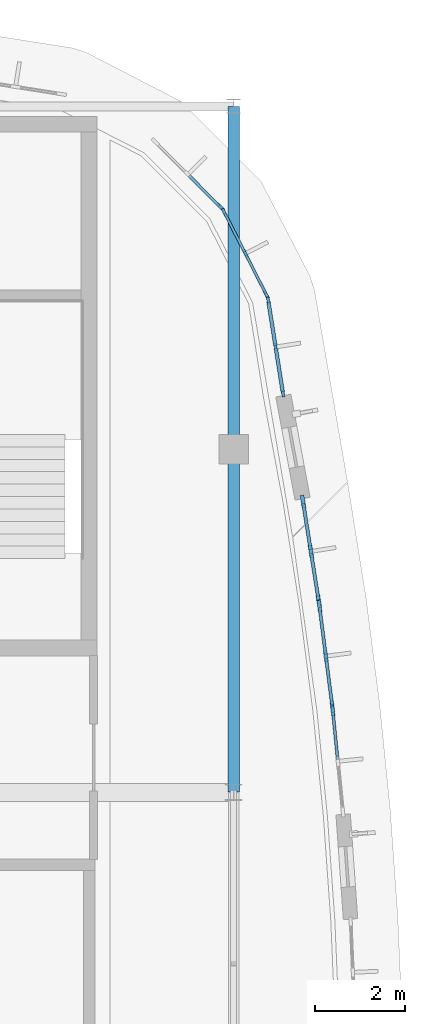
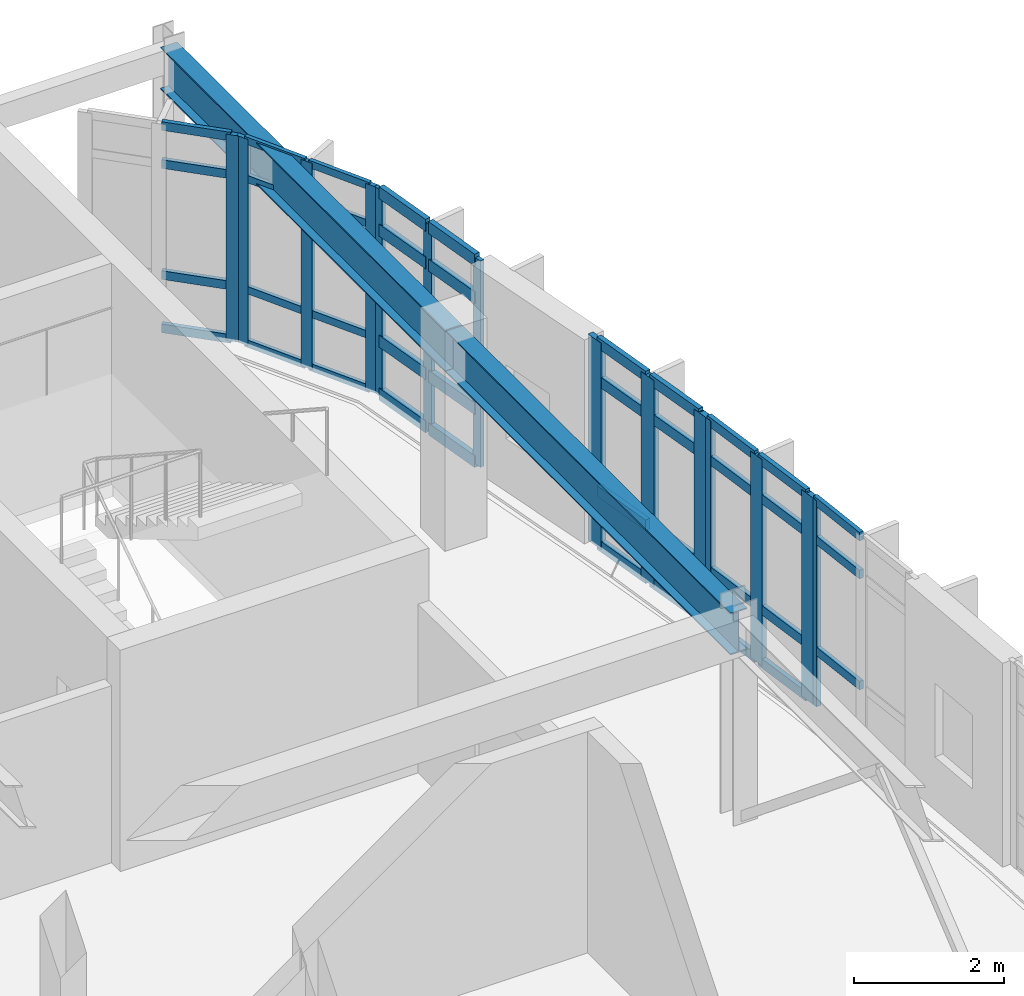
# One storey, part 13 of 30: 53 members, 2 beams, 6 elements without a shape of their own.
"""IFC4 building model written with IfcOpenShell, lengths in metres."""

from ifc_helpers import new_model, si_unit, direction, frame, origin, origin_2d, place, context, subcontext, project, spatial, rectangle, i_section, extrude, material, material_profile, profile_set, type_object, element, aggregate, save


model = new_model("IFC4")

# Units and contexts
model_context = context("Model", 3, precision=1e-05, world=origin(), true_north=direction((0.0, 1.0)))
body_context = subcontext(model_context, "Body", "Model", "MODEL_VIEW")
ifc_project = project(units=[si_unit("LENGTHUNIT", "METRE"), si_unit("AREAUNIT", "SQUARE_METRE"), si_unit("VOLUMEUNIT", "CUBIC_METRE"), si_unit("PLANEANGLEUNIT", "RADIAN"), si_unit("MASSUNIT", "GRAM", prefix="KILO")], contexts=[model_context])

# Site, building, storey
site_placement = place(None, origin())
site = spatial("IfcSite", under=ifc_project, at=site_placement, CompositionType="ELEMENT")
building_placement = place(site_placement, origin())
building = spatial("IfcBuilding", under=site, at=building_placement, Name="Corveleigh Park Community Centre", CompositionType="ELEMENT")
storey_placement = place(building_placement, frame((0.0, 0.0, 12.60009765625)))
storey = spatial("IfcBuildingStorey", under=building, at=storey_placement, Name="L03", CompositionType="ELEMENT", Elevation=12.60009765625)

# Beams
ifc_material_1 = material(Name="Steel S355", Category="steel")
ifc_material_profile_1 = material_profile(ifc_material_1, i_section(OverallWidth=0.253662109375, OverallDepth=0.68359375, WebThickness=0.012451171875, FlangeThickness=0.01904296875, at=origin_2d()), Name="UKB 686x254x140", Category="steel")
ifc_profile_set_1 = profile_set([ifc_material_profile_1], Name="Steel S355")
beam_type_1 = type_object("IfcBeamType", Name="BM-STL-UKB686x140", PredefinedType="BEAM", material=ifc_profile_set_1)
beam_1_placement = place(storey_placement, frame((168.39990234375, 89.0048828125, 3.01513671875), z_axis=(0.0, 1.0, 0.0), x_axis=(-1.0, 0.0, 0.0)))
element("IfcBeam", 1, at=beam_1_placement, inside=storey, type_object=beam_type_1, Name="V4 Girder Y", PredefinedType="BEAM", context=body_context, shape_type="SweptSolid", body=[
    extrude(i_section(OverallWidth=0.253662109375, OverallDepth=0.68359375, WebThickness=0.012451171875, FlangeThickness=0.01904296875, at=origin_2d()), origin(), (0.0, 0.0, 1.0), 7.590087890625),
])
ifc_material_profile_2 = material_profile(ifc_material_1, i_section(OverallWidth=0.25439453125, OverallDepth=0.6875, WebThickness=0.01318359375, FlangeThickness=0.02099609375, at=origin_2d()), Name="UKB 686x254x152", Category="steel")
ifc_profile_set_2 = profile_set([ifc_material_profile_2], Name="Steel S355")
beam_type_2 = type_object("IfcBeamType", Name="BM-STL-UKB686x152", PredefinedType="BEAM", material=ifc_profile_set_2)
beam_2_placement = place(storey_placement, frame((168.39990234375, 96.60498046875, 3.01318359375), z_axis=(0.0, 1.0, 0.0), x_axis=(-1.0, 0.0, 0.0)))
element("IfcBeam", 2, at=beam_2_placement, inside=storey, type_object=beam_type_2, Name="V4 Girder Y", PredefinedType="BEAM", context=body_context, shape_type="SweptSolid", body=[
    extrude(i_section(OverallWidth=0.25439453125, OverallDepth=0.6875, WebThickness=0.01318359375, FlangeThickness=0.02099609375, at=origin_2d()), origin(), (0.0, 0.0, 1.0), 7.590087890625),
])

# Curtain wall, members
ifc_material_2 = material(Name="Anodised aluminium 6063-T6", Category="aluminium")
curtain_wall_type = type_object("IfcCurtainWallType", Name="CW-SYS-V4-L03", PredefinedType="NOTDEFINED", material=ifc_material_2)
curtain_wall_1_placement = place(storey_placement, origin())
curtain_wall_1 = element("IfcCurtainWall", 3, at=curtain_wall_1_placement, inside=storey, type_object=curtain_wall_type, Name="V4 L03 Curtain Wall 415", PredefinedType="NOTDEFINED")
ifc_material_profile_3 = material_profile(ifc_material_2, rectangle(XDim=0.06005859375, YDim=0.159912109375, at=origin_2d()), Name="ALU-M60x160", Category="aluminium")
ifc_profile_set_3 = profile_set([ifc_material_profile_3], Name="Anodised aluminium 6063-T6")
member_type_1 = type_object("IfcMemberType", Name="CWM-60x160", PredefinedType="MULLION", material=ifc_profile_set_3)
member_1_placement = place(storey_placement, frame((169.167724609375, 99.895263671875, 0.0), z_axis=(0.0, 0.0, 1.0), x_axis=(0.987626350225, 0.15682535618, 0.0)))
member_1 = element("IfcMember", 4, at=member_1_placement, type_object=member_type_1, Name="CW09 mullion 1", PredefinedType="MULLION", context=body_context, shape_type="SweptSolid", body=[
    extrude(rectangle(XDim=0.06005859375, YDim=0.159912109375, at=origin_2d()), origin(), (0.0, 0.0, 1.0), 3.35693359375),
])
member_2_placement = place(storey_placement, frame((169.3310546875, 98.866943359375, 0.0), z_axis=(0.0, 0.0, 1.0), x_axis=(0.987626350225, 0.15682535618, 0.0)))
member_2 = element("IfcMember", 5, at=member_2_placement, type_object=member_type_1, Name="CW09 mullion 2", PredefinedType="MULLION", context=body_context, shape_type="SweptSolid", body=[
    extrude(rectangle(XDim=0.06005859375, YDim=0.159912109375, at=origin_2d()), origin(), (0.0, 0.0, 1.0), 3.35693359375),
])
member_3_placement = place(storey_placement, frame((169.494384765625, 97.838623046875, 0.0), z_axis=(0.0, 0.0, 1.0), x_axis=(0.987626350225, 0.15682535618, 0.0)))
member_3 = element("IfcMember", 6, at=member_3_placement, type_object=member_type_1, Name="CW09 mullion 3", PredefinedType="MULLION", context=body_context, shape_type="SweptSolid", body=[
    extrude(rectangle(XDim=0.06005859375, YDim=0.159912109375, at=origin_2d()), origin(), (0.0, 0.0, 1.0), 3.35693359375),
])

curtain_wall_2_placement = place(storey_placement, origin())
curtain_wall_2 = element("IfcCurtainWall", 7, at=curtain_wall_2_placement, inside=storey, type_object=curtain_wall_type, Name="V4 L03 Curtain Wall 416", PredefinedType="NOTDEFINED")
ifc_material_profile_4 = material_profile(ifc_material_2, rectangle(XDim=0.06494140625, YDim=0.179931640625, at=origin_2d()), Name="ALU-M65x180", Category="aluminium")
ifc_profile_set_4 = profile_set([ifc_material_profile_4], Name="Anodised aluminium 6063-T6")
member_type_2 = type_object("IfcMemberType", Name="CWM-65x180", PredefinedType="MULLION", material=ifc_profile_set_4)
member_4_placement = place(storey_placement, frame((168.19482421875, 101.85107421875, 0.0), z_axis=(0.0, 0.0, 1.0), x_axis=(0.890898639119, 0.454202173945, 0.0)))
member_4 = element("IfcMember", 8, at=member_4_placement, type_object=member_type_2, Name="CW09 mullion 1", PredefinedType="MULLION", context=body_context, shape_type="SweptSolid", body=[
    extrude(rectangle(XDim=0.06494140625, YDim=0.179931640625, at=origin_2d()), origin(), (0.0, 0.0, 1.0), 3.35693359375),
])
member_5_placement = place(storey_placement, frame((168.659912109375, 100.9384765625, 0.0), z_axis=(0.0, 0.0, 1.0), x_axis=(0.890898639119, 0.454202173945, 0.0)))
member_5 = element("IfcMember", 9, at=member_5_placement, type_object=member_type_2, Name="CW09 mullion 2", PredefinedType="MULLION", context=body_context, shape_type="SweptSolid", body=[
    extrude(rectangle(XDim=0.06494140625, YDim=0.179931640625, at=origin_2d()), origin(), (0.0, 0.0, 1.0), 3.35693359375),
])
member_6_placement = place(storey_placement, frame((169.125244140625, 100.02587890625, 0.0), z_axis=(0.0, 0.0, 1.0), x_axis=(0.890898639119, 0.454202173945, 0.0)))
member_6 = element("IfcMember", 10, at=member_6_placement, type_object=member_type_2, Name="CW09 mullion 3", PredefinedType="MULLION", context=body_context, shape_type="SweptSolid", body=[
    extrude(rectangle(XDim=0.06494140625, YDim=0.179931640625, at=origin_2d()), origin(), (0.0, 0.0, 1.0), 3.35693359375),
])

# Curtain wall, member
curtain_wall_3_placement = place(storey_placement, origin())
curtain_wall_3 = element("IfcCurtainWall", 11, at=curtain_wall_3_placement, inside=storey, type_object=curtain_wall_type, Name="V4 L03 Curtain Wall 417", PredefinedType="NOTDEFINED")
ifc_material_profile_5 = material_profile(ifc_material_2, rectangle(XDim=0.070068359375, YDim=0.199951171875, at=origin_2d()), Name="ALU-M70x200", Category="aluminium")
ifc_profile_set_5 = profile_set([ifc_material_profile_5], Name="Anodised aluminium 6063-T6")
member_type_3 = type_object("IfcMemberType", Name="CWM-70x200", PredefinedType="MULLION", material=ifc_profile_set_5)
member_7_placement = place(storey_placement, frame((168.111328125, 101.9658203125, 0.0), z_axis=(0.0, 0.0, 1.0), x_axis=(0.707106781187, 0.707106781187, 0.0)))
member_7 = element("IfcMember", 12, at=member_7_placement, type_object=member_type_3, Name="CW09 mullion 3", PredefinedType="MULLION", context=body_context, shape_type="SweptSolid", body=[
    extrude(rectangle(XDim=0.070068359375, YDim=0.199951171875, at=origin_2d()), origin(), (0.0, 0.0, 1.0), 3.35693359375),
])

curtain_wall_4_placement = place(storey_placement, origin())
curtain_wall_4 = element("IfcCurtainWall", 13, at=curtain_wall_4_placement, inside=storey, type_object=curtain_wall_type, Name="V4 L03 Curtain Wall 412", PredefinedType="NOTDEFINED")
ifc_material_profile_6 = material_profile(ifc_material_2, rectangle(XDim=0.074951171875, YDim=0.219970703125, at=origin_2d()), Name="ALU-M75x220", Category="aluminium")
ifc_profile_set_6 = profile_set([ifc_material_profile_6], Name="Anodised aluminium 6063-T6")
member_type_4 = type_object("IfcMemberType", Name="CWM-75x220", PredefinedType="MULLION", material=ifc_profile_set_6)
member_8_placement = place(storey_placement, frame((170.59765625, 90.8095703125, 0.0), z_axis=(0.0, 0.0, 1.0), x_axis=(0.995058446213, 0.09929092919, 0.0)))
member_8 = element("IfcMember", 14, at=member_8_placement, type_object=member_type_4, Name="CW09 mullion 1", PredefinedType="MULLION", context=body_context, shape_type="SweptSolid", body=[
    extrude(rectangle(XDim=0.074951171875, YDim=0.219970703125, at=origin_2d()), origin(), (0.0, 0.0, 1.0), 3.35693359375),
])

# Curtain wall, members
curtain_wall_5_placement = place(storey_placement, origin())
curtain_wall_5 = element("IfcCurtainWall", 15, at=curtain_wall_5_placement, inside=storey, type_object=curtain_wall_type, Name="V4 L03 Curtain Wall 413", PredefinedType="NOTDEFINED")
ifc_material_profile_7 = material_profile(ifc_material_2, rectangle(XDim=0.080078125, YDim=0.25, at=origin_2d()), Name="ALU-M80x250", Category="aluminium")
ifc_profile_set_7 = profile_set([ifc_material_profile_7], Name="Anodised aluminium 6063-T6")
member_type_5 = type_object("IfcMemberType", Name="CWM-80x250", PredefinedType="MULLION", material=ifc_profile_set_7)
member_9_placement = place(storey_placement, frame((170.301025390625, 93.13232421875, 0.0), z_axis=(0.0, 0.0, 1.0), x_axis=(0.991869145489, 0.127261927639, 0.0)))
member_9 = element("IfcMember", 16, at=member_9_placement, type_object=member_type_5, Name="CW09 mullion 1", PredefinedType="MULLION", context=body_context, shape_type="SweptSolid", body=[
    extrude(rectangle(XDim=0.080078125, YDim=0.25, at=origin_2d()), origin(), (0.0, 0.0, 1.0), 3.35693359375),
])
member_10_placement = place(storey_placement, frame((170.444091796875, 92.0185546875, 0.0), z_axis=(0.0, 0.0, 1.0), x_axis=(0.991869145489, 0.127261927639, 0.0)))
member_10 = element("IfcMember", 17, at=member_10_placement, type_object=member_type_5, Name="CW09 mullion 2", PredefinedType="MULLION", context=body_context, shape_type="SweptSolid", body=[
    extrude(rectangle(XDim=0.080078125, YDim=0.25, at=origin_2d()), origin(), (0.0, 0.0, 1.0), 3.35693359375),
])
member_11_placement = place(storey_placement, frame((170.5869140625, 90.90478515625, 0.0), z_axis=(0.0, 0.0, 1.0), x_axis=(0.991869145489, 0.127261927639, 0.0)))
member_11 = element("IfcMember", 18, at=member_11_placement, type_object=member_type_5, Name="CW09 mullion 3", PredefinedType="MULLION", context=body_context, shape_type="SweptSolid", body=[
    extrude(rectangle(XDim=0.080078125, YDim=0.25, at=origin_2d()), origin(), (0.0, 0.0, 1.0), 3.35693359375),
])

curtain_wall_6_placement = place(storey_placement, origin())
curtain_wall_6 = element("IfcCurtainWall", 19, at=curtain_wall_6_placement, inside=storey, type_object=curtain_wall_type, Name="V4 L03 Curtain Wall 414", PredefinedType="NOTDEFINED")
ifc_material_profile_8 = material_profile(ifc_material_2, rectangle(XDim=0.0849609375, YDim=0.27490234375, at=origin_2d()), Name="ALU-M85x275", Category="aluminium")
ifc_profile_set_8 = profile_set([ifc_material_profile_8], Name="Anodised aluminium 6063-T6")
member_type_6 = type_object("IfcMemberType", Name="CWM-85x275", PredefinedType="MULLION", material=ifc_profile_set_8)
member_12_placement = place(storey_placement, frame((169.937744140625, 95.445068359375, 0.0), z_axis=(0.0, 0.0, 1.0), x_axis=(0.987742036845, 0.156095062857, 0.0)))
member_12 = element("IfcMember", 20, at=member_12_placement, type_object=member_type_6, Name="CW09 mullion 1", PredefinedType="MULLION", context=body_context, shape_type="SweptSolid", body=[
    extrude(rectangle(XDim=0.0849609375, YDim=0.27490234375, at=origin_2d()), origin(), (0.0, 0.0, 1.0), 3.35693359375),
])
member_13_placement = place(storey_placement, frame((170.112548828125, 94.33837890625, 0.0), z_axis=(0.0, 0.0, 1.0), x_axis=(0.987742036845, 0.156095062857, 0.0)))
member_13 = element("IfcMember", 21, at=member_13_placement, type_object=member_type_6, Name="CW09 mullion 2", PredefinedType="MULLION", context=body_context, shape_type="SweptSolid", body=[
    extrude(rectangle(XDim=0.0849609375, YDim=0.27490234375, at=origin_2d()), origin(), (0.0, 0.0, 1.0), 3.35693359375),
])
member_14_placement = place(storey_placement, frame((170.287353515625, 93.23193359375, 0.0), z_axis=(0.0, 0.0, 1.0), x_axis=(0.987742036845, 0.156095062857, 0.0)))
member_14 = element("IfcMember", 22, at=member_14_placement, type_object=member_type_6, Name="CW09 mullion 3", PredefinedType="MULLION", context=body_context, shape_type="SweptSolid", body=[
    extrude(rectangle(XDim=0.0849609375, YDim=0.27490234375, at=origin_2d()), origin(), (0.0, 0.0, 1.0), 3.35693359375),
])

# Member
ifc_material_profile_9 = material_profile(ifc_material_2, rectangle(XDim=0.06005859375, YDim=0.1201171875, at=origin_2d()), Name="ALU-T60x120", Category="aluminium")
ifc_profile_set_9 = profile_set([ifc_material_profile_9], Name="Anodised aluminium 6063-T6")
member_type_7 = type_object("IfcMemberType", Name="CWT-60x120", PredefinedType="USERDEFINED", material=ifc_profile_set_9)
member_15_placement = place(storey_placement, frame((168.20947265625, 101.822021484375, 0.02978515625), z_axis=(0.454326082796, -0.890835456463, 0.0), x_axis=(0.890835456463, 0.454326082796, 0.0)))
member_15 = element("IfcMember", 23, at=member_15_placement, type_object=member_type_7, Name="CW09 transom 1.1", ObjectType="TRANSOM", PredefinedType="USERDEFINED", context=body_context, shape_type="SweptSolid", body=[
    extrude(rectangle(XDim=0.06005859375, YDim=0.1201171875, at=origin_2d()), origin(), (0.0, 0.0, 1.0), 0.959228515625),
])

member_16_placement = place(storey_placement, frame((168.20947265625, 101.822021484375, 0.89990234375), z_axis=(0.454326082796, -0.890835456463, 0.0), x_axis=(0.890835456463, 0.454326082796, 0.0)))
member_16 = element("IfcMember", 24, at=member_16_placement, type_object=member_type_7, Name="CW09 transom 1.2", ObjectType="TRANSOM", PredefinedType="USERDEFINED", context=body_context, shape_type="SweptSolid", body=[
    extrude(rectangle(XDim=0.06005859375, YDim=0.1201171875, at=origin_2d()), origin(), (0.0, 0.0, 1.0), 0.959228515625),
])

member_17_placement = place(storey_placement, frame((168.20947265625, 101.822021484375, 2.706787109375), z_axis=(0.454326082796, -0.890835456463, 0.0), x_axis=(0.890835456463, 0.454326082796, 0.0)))
member_17 = element("IfcMember", 25, at=member_17_placement, type_object=member_type_7, Name="CW09 transom 1.3", ObjectType="TRANSOM", PredefinedType="USERDEFINED", context=body_context, shape_type="SweptSolid", body=[
    extrude(rectangle(XDim=0.06005859375, YDim=0.1201171875, at=origin_2d()), origin(), (0.0, 0.0, 1.0), 0.959228515625),
])

member_18_placement = place(storey_placement, frame((168.20947265625, 101.822021484375, 3.326904296875), z_axis=(0.454326082796, -0.890835456463, 0.0), x_axis=(0.890835456463, 0.454326082796, 0.0)))
member_18 = element("IfcMember", 26, at=member_18_placement, type_object=member_type_7, Name="CW09 transom 1.4", ObjectType="TRANSOM", PredefinedType="USERDEFINED", context=body_context, shape_type="SweptSolid", body=[
    extrude(rectangle(XDim=0.06005859375, YDim=0.1201171875, at=origin_2d()), origin(), (0.0, 0.0, 1.0), 0.959228515625),
])

member_19_placement = place(storey_placement, frame((168.6748046875, 100.909423828125, 0.02978515625), z_axis=(0.454326082796, -0.890835456463, 0.0), x_axis=(0.890835456463, 0.454326082796, 0.0)))
member_19 = element("IfcMember", 27, at=member_19_placement, type_object=member_type_7, Name="CW09 transom 2.1", ObjectType="TRANSOM", PredefinedType="USERDEFINED", context=body_context, shape_type="SweptSolid", body=[
    extrude(rectangle(XDim=0.06005859375, YDim=0.1201171875, at=origin_2d()), origin(), (0.0, 0.0, 1.0), 0.959228515625),
])

member_20_placement = place(storey_placement, frame((168.6748046875, 100.909423828125, 0.89990234375), z_axis=(0.454326082796, -0.890835456463, 0.0), x_axis=(0.890835456463, 0.454326082796, 0.0)))
member_20 = element("IfcMember", 28, at=member_20_placement, type_object=member_type_7, Name="CW09 transom 2.2", ObjectType="TRANSOM", PredefinedType="USERDEFINED", context=body_context, shape_type="SweptSolid", body=[
    extrude(rectangle(XDim=0.06005859375, YDim=0.1201171875, at=origin_2d()), origin(), (0.0, 0.0, 1.0), 0.959228515625),
])

member_21_placement = place(storey_placement, frame((168.6748046875, 100.909423828125, 2.706787109375), z_axis=(0.454326082796, -0.890835456463, 0.0), x_axis=(0.890835456463, 0.454326082796, 0.0)))
member_21 = element("IfcMember", 29, at=member_21_placement, type_object=member_type_7, Name="CW09 transom 2.3", ObjectType="TRANSOM", PredefinedType="USERDEFINED", context=body_context, shape_type="SweptSolid", body=[
    extrude(rectangle(XDim=0.06005859375, YDim=0.1201171875, at=origin_2d()), origin(), (0.0, 0.0, 1.0), 0.959228515625),
])

member_22_placement = place(storey_placement, frame((168.6748046875, 100.909423828125, 3.326904296875), z_axis=(0.454326082796, -0.890835456463, 0.0), x_axis=(0.890835456463, 0.454326082796, 0.0)))
member_22 = element("IfcMember", 30, at=member_22_placement, type_object=member_type_7, Name="CW09 transom 2.4", ObjectType="TRANSOM", PredefinedType="USERDEFINED", context=body_context, shape_type="SweptSolid", body=[
    extrude(rectangle(XDim=0.06005859375, YDim=0.1201171875, at=origin_2d()), origin(), (0.0, 0.0, 1.0), 0.959228515625),
])

aggregate(curtain_wall_2, [member_4, member_5, member_6, member_15, member_16, member_17, member_18, member_19, member_20, member_21, member_22])

ifc_material_profile_10 = material_profile(ifc_material_2, rectangle(XDim=0.06494140625, YDim=0.139892578125, at=origin_2d()), Name="ALU-T65x140", Category="aluminium")
ifc_profile_set_10 = profile_set([ifc_material_profile_10], Name="Anodised aluminium 6063-T6")
member_type_8 = type_object("IfcMemberType", Name="CWT-65x140", PredefinedType="USERDEFINED", material=ifc_profile_set_10)
member_23_placement = place(storey_placement, frame((170.6015625, 90.7724609375, 0.89990234375), z_axis=(0.099204676617, -0.995067049066, 0.0), x_axis=(0.995067049066, 0.099204676617, 0.0)))
member_23 = element("IfcMember", 31, at=member_23_placement, type_object=member_type_8, Name="CW09 transom 1.2", ObjectType="TRANSOM", PredefinedType="USERDEFINED", context=body_context, shape_type="SweptSolid", body=[
    extrude(rectangle(XDim=0.06494140625, YDim=0.139892578125, at=origin_2d()), origin(), (0.0, 0.0, 1.0), 1.05078125),
])

member_24_placement = place(storey_placement, frame((170.6015625, 90.7724609375, 2.706787109375), z_axis=(0.099204676617, -0.995067049066, 0.0), x_axis=(0.995067049066, 0.099204676617, 0.0)))
member_24 = element("IfcMember", 32, at=member_24_placement, type_object=member_type_8, Name="CW09 transom 1.3", ObjectType="TRANSOM", PredefinedType="USERDEFINED", context=body_context, shape_type="SweptSolid", body=[
    extrude(rectangle(XDim=0.06494140625, YDim=0.139892578125, at=origin_2d()), origin(), (0.0, 0.0, 1.0), 1.05078125),
])

member_25_placement = place(storey_placement, frame((170.6015625, 90.7724609375, 3.324462890625), z_axis=(0.099204676617, -0.995067049066, 0.0), x_axis=(0.995067049066, 0.099204676617, 0.0)))
member_25 = element("IfcMember", 33, at=member_25_placement, type_object=member_type_8, Name="CW09 transom 1.4", ObjectType="TRANSOM", PredefinedType="USERDEFINED", context=body_context, shape_type="SweptSolid", body=[
    extrude(rectangle(XDim=0.06494140625, YDim=0.139892578125, at=origin_2d()), origin(), (0.0, 0.0, 1.0), 1.05078125),
])

aggregate(curtain_wall_4, [member_8, member_23, member_24, member_25])

member_26_placement = place(storey_placement, frame((167.413330078125, 102.663818359375, 0.032470703125), z_axis=(0.706978554373, -0.707234984752, 0.0), x_axis=(0.707234984752, 0.706978554373, 0.0)))
member_26 = element("IfcMember", 34, at=member_26_placement, type_object=member_type_8, Name="CW09 transom 2.1", ObjectType="TRANSOM", PredefinedType="USERDEFINED", context=body_context, shape_type="SweptSolid", body=[
    extrude(rectangle(XDim=0.06494140625, YDim=0.139892578125, at=origin_2d()), origin(), (0.0, 0.0, 1.0), 0.9521484375),
])

member_27_placement = place(storey_placement, frame((167.413330078125, 102.663818359375, 0.89990234375), z_axis=(0.706978554373, -0.707234984752, 0.0), x_axis=(0.707234984752, 0.706978554373, 0.0)))
member_27 = element("IfcMember", 35, at=member_27_placement, type_object=member_type_8, Name="CW09 transom 2.2", ObjectType="TRANSOM", PredefinedType="USERDEFINED", context=body_context, shape_type="SweptSolid", body=[
    extrude(rectangle(XDim=0.06494140625, YDim=0.139892578125, at=origin_2d()), origin(), (0.0, 0.0, 1.0), 0.9521484375),
])

member_28_placement = place(storey_placement, frame((167.413330078125, 102.663818359375, 2.706787109375), z_axis=(0.706978554373, -0.707234984752, 0.0), x_axis=(0.707234984752, 0.706978554373, 0.0)))
member_28 = element("IfcMember", 36, at=member_28_placement, type_object=member_type_8, Name="CW09 transom 2.3", ObjectType="TRANSOM", PredefinedType="USERDEFINED", context=body_context, shape_type="SweptSolid", body=[
    extrude(rectangle(XDim=0.06494140625, YDim=0.139892578125, at=origin_2d()), origin(), (0.0, 0.0, 1.0), 0.9521484375),
])

member_29_placement = place(storey_placement, frame((167.413330078125, 102.663818359375, 3.324462890625), z_axis=(0.706978554373, -0.707234984752, 0.0), x_axis=(0.707234984752, 0.706978554373, 0.0)))
member_29 = element("IfcMember", 37, at=member_29_placement, type_object=member_type_8, Name="CW09 transom 2.4", ObjectType="TRANSOM", PredefinedType="USERDEFINED", context=body_context, shape_type="SweptSolid", body=[
    extrude(rectangle(XDim=0.06494140625, YDim=0.139892578125, at=origin_2d()), origin(), (0.0, 0.0, 1.0), 0.9521484375),
])

aggregate(curtain_wall_3, [member_7, member_26, member_27, member_28, member_29])

ifc_material_profile_11 = material_profile(ifc_material_2, rectangle(XDim=0.070068359375, YDim=0.155029296875, at=origin_2d()), Name="ALU-T70x155", Category="aluminium")
ifc_profile_set_11 = profile_set([ifc_material_profile_11], Name="Anodised aluminium 6063-T6")
member_type_9 = type_object("IfcMemberType", Name="CWT-70x155", PredefinedType="USERDEFINED", material=ifc_profile_set_11)
member_30_placement = place(storey_placement, frame((170.30615234375, 93.092529296875, 0.034912109375), z_axis=(0.127347379918, -0.991858177779, 0.0), x_axis=(0.991858177779, 0.127347379918, 0.0)))
member_30 = element("IfcMember", 38, at=member_30_placement, type_object=member_type_9, Name="CW09 transom 1.1", ObjectType="TRANSOM", PredefinedType="USERDEFINED", context=body_context, shape_type="SweptSolid", body=[
    extrude(rectangle(XDim=0.070068359375, YDim=0.155029296875, at=origin_2d()), origin(), (0.0, 0.0, 1.0), 1.04296875),
])

member_31_placement = place(storey_placement, frame((170.30615234375, 93.092529296875, 0.89990234375), z_axis=(0.127347379918, -0.991858177779, 0.0), x_axis=(0.991858177779, 0.127347379918, 0.0)))
member_31 = element("IfcMember", 39, at=member_31_placement, type_object=member_type_9, Name="CW09 transom 1.2", ObjectType="TRANSOM", PredefinedType="USERDEFINED", context=body_context, shape_type="SweptSolid", body=[
    extrude(rectangle(XDim=0.070068359375, YDim=0.155029296875, at=origin_2d()), origin(), (0.0, 0.0, 1.0), 1.04296875),
])

member_32_placement = place(storey_placement, frame((170.30615234375, 93.092529296875, 2.706787109375), z_axis=(0.127347379918, -0.991858177779, 0.0), x_axis=(0.991858177779, 0.127347379918, 0.0)))
member_32 = element("IfcMember", 40, at=member_32_placement, type_object=member_type_9, Name="CW09 transom 1.3", ObjectType="TRANSOM", PredefinedType="USERDEFINED", context=body_context, shape_type="SweptSolid", body=[
    extrude(rectangle(XDim=0.070068359375, YDim=0.155029296875, at=origin_2d()), origin(), (0.0, 0.0, 1.0), 1.04296875),
])

member_33_placement = place(storey_placement, frame((170.30615234375, 93.092529296875, 3.322021484375), z_axis=(0.127347379918, -0.991858177779, 0.0), x_axis=(0.991858177779, 0.127347379918, 0.0)))
member_33 = element("IfcMember", 41, at=member_33_placement, type_object=member_type_9, Name="CW09 transom 1.4", ObjectType="TRANSOM", PredefinedType="USERDEFINED", context=body_context, shape_type="SweptSolid", body=[
    extrude(rectangle(XDim=0.070068359375, YDim=0.155029296875, at=origin_2d()), origin(), (0.0, 0.0, 1.0), 1.04296875),
])

member_34_placement = place(storey_placement, frame((170.448974609375, 91.978759765625, 0.034912109375), z_axis=(0.127347379918, -0.991858177779, 0.0), x_axis=(0.991858177779, 0.127347379918, 0.0)))
member_34 = element("IfcMember", 42, at=member_34_placement, type_object=member_type_9, Name="CW09 transom 2.1", ObjectType="TRANSOM", PredefinedType="USERDEFINED", context=body_context, shape_type="SweptSolid", body=[
    extrude(rectangle(XDim=0.070068359375, YDim=0.155029296875, at=origin_2d()), origin(), (0.0, 0.0, 1.0), 1.04296875),
])

member_35_placement = place(storey_placement, frame((170.448974609375, 91.978759765625, 0.89990234375), z_axis=(0.127347379918, -0.991858177779, 0.0), x_axis=(0.991858177779, 0.127347379918, 0.0)))
member_35 = element("IfcMember", 43, at=member_35_placement, type_object=member_type_9, Name="CW09 transom 2.2", ObjectType="TRANSOM", PredefinedType="USERDEFINED", context=body_context, shape_type="SweptSolid", body=[
    extrude(rectangle(XDim=0.070068359375, YDim=0.155029296875, at=origin_2d()), origin(), (0.0, 0.0, 1.0), 1.04296875),
])

member_36_placement = place(storey_placement, frame((170.448974609375, 91.978759765625, 2.706787109375), z_axis=(0.127347379918, -0.991858177779, 0.0), x_axis=(0.991858177779, 0.127347379918, 0.0)))
member_36 = element("IfcMember", 44, at=member_36_placement, type_object=member_type_9, Name="CW09 transom 2.3", ObjectType="TRANSOM", PredefinedType="USERDEFINED", context=body_context, shape_type="SweptSolid", body=[
    extrude(rectangle(XDim=0.070068359375, YDim=0.155029296875, at=origin_2d()), origin(), (0.0, 0.0, 1.0), 1.04296875),
])

member_37_placement = place(storey_placement, frame((170.448974609375, 91.978759765625, 3.322021484375), z_axis=(0.127347379918, -0.991858177779, 0.0), x_axis=(0.991858177779, 0.127347379918, 0.0)))
member_37 = element("IfcMember", 45, at=member_37_placement, type_object=member_type_9, Name="CW09 transom 2.4", ObjectType="TRANSOM", PredefinedType="USERDEFINED", context=body_context, shape_type="SweptSolid", body=[
    extrude(rectangle(XDim=0.070068359375, YDim=0.155029296875, at=origin_2d()), origin(), (0.0, 0.0, 1.0), 1.04296875),
])

aggregate(curtain_wall_5, [member_9, member_10, member_11, member_30, member_31, member_32, member_33, member_34, member_35, member_36, member_37])

ifc_material_profile_12 = material_profile(ifc_material_2, rectangle(XDim=0.074951171875, YDim=0.175048828125, at=origin_2d()), Name="ALU-T75x175", Category="aluminium")
ifc_profile_set_12 = profile_set([ifc_material_profile_12], Name="Anodised aluminium 6063-T6")
member_type_10 = type_object("IfcMemberType", Name="CWT-75x175", PredefinedType="USERDEFINED", material=ifc_profile_set_12)
member_38_placement = place(storey_placement, frame((169.9443359375, 95.403076171875, 0.037353515625), z_axis=(0.156095763917, -0.987741926055, 0.0), x_axis=(0.987741926055, 0.156095763917, 0.0)))
member_38 = element("IfcMember", 46, at=member_38_placement, type_object=member_type_10, Name="CW09 transom 1.1", ObjectType="TRANSOM", PredefinedType="USERDEFINED", context=body_context, shape_type="SweptSolid", body=[
    extrude(rectangle(XDim=0.074951171875, YDim=0.175048828125, at=origin_2d()), origin(), (0.0, 0.0, 1.0), 1.035400390625),
])

member_39_placement = place(storey_placement, frame((169.9443359375, 95.403076171875, 0.89990234375), z_axis=(0.156095763917, -0.987741926055, 0.0), x_axis=(0.987741926055, 0.156095763917, 0.0)))
member_39 = element("IfcMember", 47, at=member_39_placement, type_object=member_type_10, Name="CW09 transom 1.2", ObjectType="TRANSOM", PredefinedType="USERDEFINED", context=body_context, shape_type="SweptSolid", body=[
    extrude(rectangle(XDim=0.074951171875, YDim=0.175048828125, at=origin_2d()), origin(), (0.0, 0.0, 1.0), 1.035400390625),
])

member_40_placement = place(storey_placement, frame((169.9443359375, 95.403076171875, 2.706787109375), z_axis=(0.156095763917, -0.987741926055, 0.0), x_axis=(0.987741926055, 0.156095763917, 0.0)))
member_40 = element("IfcMember", 48, at=member_40_placement, type_object=member_type_10, Name="CW09 transom 1.3", ObjectType="TRANSOM", PredefinedType="USERDEFINED", context=body_context, shape_type="SweptSolid", body=[
    extrude(rectangle(XDim=0.074951171875, YDim=0.175048828125, at=origin_2d()), origin(), (0.0, 0.0, 1.0), 1.035400390625),
])

member_41_placement = place(storey_placement, frame((169.9443359375, 95.403076171875, 3.3193359375), z_axis=(0.156095763917, -0.987741926055, 0.0), x_axis=(0.987741926055, 0.156095763917, 0.0)))
member_41 = element("IfcMember", 49, at=member_41_placement, type_object=member_type_10, Name="CW09 transom 1.4", ObjectType="TRANSOM", PredefinedType="USERDEFINED", context=body_context, shape_type="SweptSolid", body=[
    extrude(rectangle(XDim=0.074951171875, YDim=0.175048828125, at=origin_2d()), origin(), (0.0, 0.0, 1.0), 1.035400390625),
])

member_42_placement = place(storey_placement, frame((170.119140625, 94.296630859375, 0.037353515625), z_axis=(0.156095763917, -0.987741926055, 0.0), x_axis=(0.987741926055, 0.156095763917, 0.0)))
member_42 = element("IfcMember", 50, at=member_42_placement, type_object=member_type_10, Name="CW09 transom 2.1", ObjectType="TRANSOM", PredefinedType="USERDEFINED", context=body_context, shape_type="SweptSolid", body=[
    extrude(rectangle(XDim=0.074951171875, YDim=0.175048828125, at=origin_2d()), origin(), (0.0, 0.0, 1.0), 1.035400390625),
])

member_43_placement = place(storey_placement, frame((170.119140625, 94.296630859375, 0.89990234375), z_axis=(0.156095763917, -0.987741926055, 0.0), x_axis=(0.987741926055, 0.156095763917, 0.0)))
member_43 = element("IfcMember", 51, at=member_43_placement, type_object=member_type_10, Name="CW09 transom 2.2", ObjectType="TRANSOM", PredefinedType="USERDEFINED", context=body_context, shape_type="SweptSolid", body=[
    extrude(rectangle(XDim=0.074951171875, YDim=0.175048828125, at=origin_2d()), origin(), (0.0, 0.0, 1.0), 1.035400390625),
])

member_44_placement = place(storey_placement, frame((170.119140625, 94.296630859375, 2.706787109375), z_axis=(0.156095763917, -0.987741926055, 0.0), x_axis=(0.987741926055, 0.156095763917, 0.0)))
member_44 = element("IfcMember", 52, at=member_44_placement, type_object=member_type_10, Name="CW09 transom 2.3", ObjectType="TRANSOM", PredefinedType="USERDEFINED", context=body_context, shape_type="SweptSolid", body=[
    extrude(rectangle(XDim=0.074951171875, YDim=0.175048828125, at=origin_2d()), origin(), (0.0, 0.0, 1.0), 1.035400390625),
])

member_45_placement = place(storey_placement, frame((170.119140625, 94.296630859375, 3.3193359375), z_axis=(0.156095763917, -0.987741926055, 0.0), x_axis=(0.987741926055, 0.156095763917, 0.0)))
member_45 = element("IfcMember", 53, at=member_45_placement, type_object=member_type_10, Name="CW09 transom 2.4", ObjectType="TRANSOM", PredefinedType="USERDEFINED", context=body_context, shape_type="SweptSolid", body=[
    extrude(rectangle(XDim=0.074951171875, YDim=0.175048828125, at=origin_2d()), origin(), (0.0, 0.0, 1.0), 1.035400390625),
])

aggregate(curtain_wall_6, [member_12, member_13, member_14, member_38, member_39, member_40, member_41, member_42, member_43, member_44, member_45])

ifc_material_profile_13 = material_profile(ifc_material_2, rectangle(XDim=0.080078125, YDim=0.195068359375, at=origin_2d()), Name="ALU-T80x195", Category="aluminium")
ifc_profile_set_13 = profile_set([ifc_material_profile_13], Name="Anodised aluminium 6063-T6")
member_type_11 = type_object("IfcMemberType", Name="CWT-80x195", PredefinedType="USERDEFINED", material=ifc_profile_set_13)
member_46_placement = place(storey_placement, frame((169.17236328125, 99.86572265625, 0.039794921875), z_axis=(0.15701025192, -0.987596972855, 0.0), x_axis=(0.987596972855, 0.15701025192, 0.0)))
member_46 = element("IfcMember", 54, at=member_46_placement, type_object=member_type_11, Name="CW09 transom 1.1", ObjectType="TRANSOM", PredefinedType="USERDEFINED", context=body_context, shape_type="SweptSolid", body=[
    extrude(rectangle(XDim=0.080078125, YDim=0.195068359375, at=origin_2d()), origin(), (0.0, 0.0, 1.0), 0.981201171875),
])

member_47_placement = place(storey_placement, frame((169.17236328125, 99.86572265625, 0.89990234375), z_axis=(0.15701025192, -0.987596972855, 0.0), x_axis=(0.987596972855, 0.15701025192, 0.0)))
member_47 = element("IfcMember", 55, at=member_47_placement, type_object=member_type_11, Name="CW09 transom 1.2", ObjectType="TRANSOM", PredefinedType="USERDEFINED", context=body_context, shape_type="SweptSolid", body=[
    extrude(rectangle(XDim=0.080078125, YDim=0.195068359375, at=origin_2d()), origin(), (0.0, 0.0, 1.0), 0.981201171875),
])

member_48_placement = place(storey_placement, frame((169.17236328125, 99.86572265625, 2.706787109375), z_axis=(0.15701025192, -0.987596972855, 0.0), x_axis=(0.987596972855, 0.15701025192, 0.0)))
member_48 = element("IfcMember", 56, at=member_48_placement, type_object=member_type_11, Name="CW09 transom 1.3", ObjectType="TRANSOM", PredefinedType="USERDEFINED", context=body_context, shape_type="SweptSolid", body=[
    extrude(rectangle(XDim=0.080078125, YDim=0.195068359375, at=origin_2d()), origin(), (0.0, 0.0, 1.0), 0.981201171875),
])

member_49_placement = place(storey_placement, frame((169.17236328125, 99.86572265625, 3.31689453125), z_axis=(0.15701025192, -0.987596972855, 0.0), x_axis=(0.987596972855, 0.15701025192, 0.0)))
member_49 = element("IfcMember", 57, at=member_49_placement, type_object=member_type_11, Name="CW09 transom 1.4", ObjectType="TRANSOM", PredefinedType="USERDEFINED", context=body_context, shape_type="SweptSolid", body=[
    extrude(rectangle(XDim=0.080078125, YDim=0.195068359375, at=origin_2d()), origin(), (0.0, 0.0, 1.0), 0.981201171875),
])

member_50_placement = place(storey_placement, frame((169.335693359375, 98.83740234375, 0.039794921875), z_axis=(0.156729026257, -0.987641641654, 0.0), x_axis=(0.987641641654, 0.156729026257, 0.0)))
member_50 = element("IfcMember", 58, at=member_50_placement, type_object=member_type_11, Name="CW09 transom 2.1", ObjectType="TRANSOM", PredefinedType="USERDEFINED", context=body_context, shape_type="SweptSolid", body=[
    extrude(rectangle(XDim=0.080078125, YDim=0.195068359375, at=origin_2d()), origin(), (0.0, 0.0, 1.0), 0.9814453125),
])

member_51_placement = place(storey_placement, frame((169.335693359375, 98.83740234375, 0.89990234375), z_axis=(0.156729026257, -0.987641641654, 0.0), x_axis=(0.987641641654, 0.156729026257, 0.0)))
member_51 = element("IfcMember", 59, at=member_51_placement, type_object=member_type_11, Name="CW09 transom 2.2", ObjectType="TRANSOM", PredefinedType="USERDEFINED", context=body_context, shape_type="SweptSolid", body=[
    extrude(rectangle(XDim=0.080078125, YDim=0.195068359375, at=origin_2d()), origin(), (0.0, 0.0, 1.0), 0.9814453125),
])

member_52_placement = place(storey_placement, frame((169.335693359375, 98.83740234375, 2.706787109375), z_axis=(0.156729026257, -0.987641641654, 0.0), x_axis=(0.987641641654, 0.156729026257, 0.0)))
member_52 = element("IfcMember", 60, at=member_52_placement, type_object=member_type_11, Name="CW09 transom 2.3", ObjectType="TRANSOM", PredefinedType="USERDEFINED", context=body_context, shape_type="SweptSolid", body=[
    extrude(rectangle(XDim=0.080078125, YDim=0.195068359375, at=origin_2d()), origin(), (0.0, 0.0, 1.0), 0.9814453125),
])

member_53_placement = place(storey_placement, frame((169.335693359375, 98.83740234375, 3.31689453125), z_axis=(0.156729026257, -0.987641641654, 0.0), x_axis=(0.987641641654, 0.156729026257, 0.0)))
member_53 = element("IfcMember", 61, at=member_53_placement, type_object=member_type_11, Name="CW09 transom 2.4", ObjectType="TRANSOM", PredefinedType="USERDEFINED", context=body_context, shape_type="SweptSolid", body=[
    extrude(rectangle(XDim=0.080078125, YDim=0.195068359375, at=origin_2d()), origin(), (0.0, 0.0, 1.0), 0.9814453125),
])

aggregate(curtain_wall_1, [member_1, member_2, member_3, member_46, member_47, member_48, member_49, member_50, member_51, member_52, member_53])

save(model, "model.ifc")
